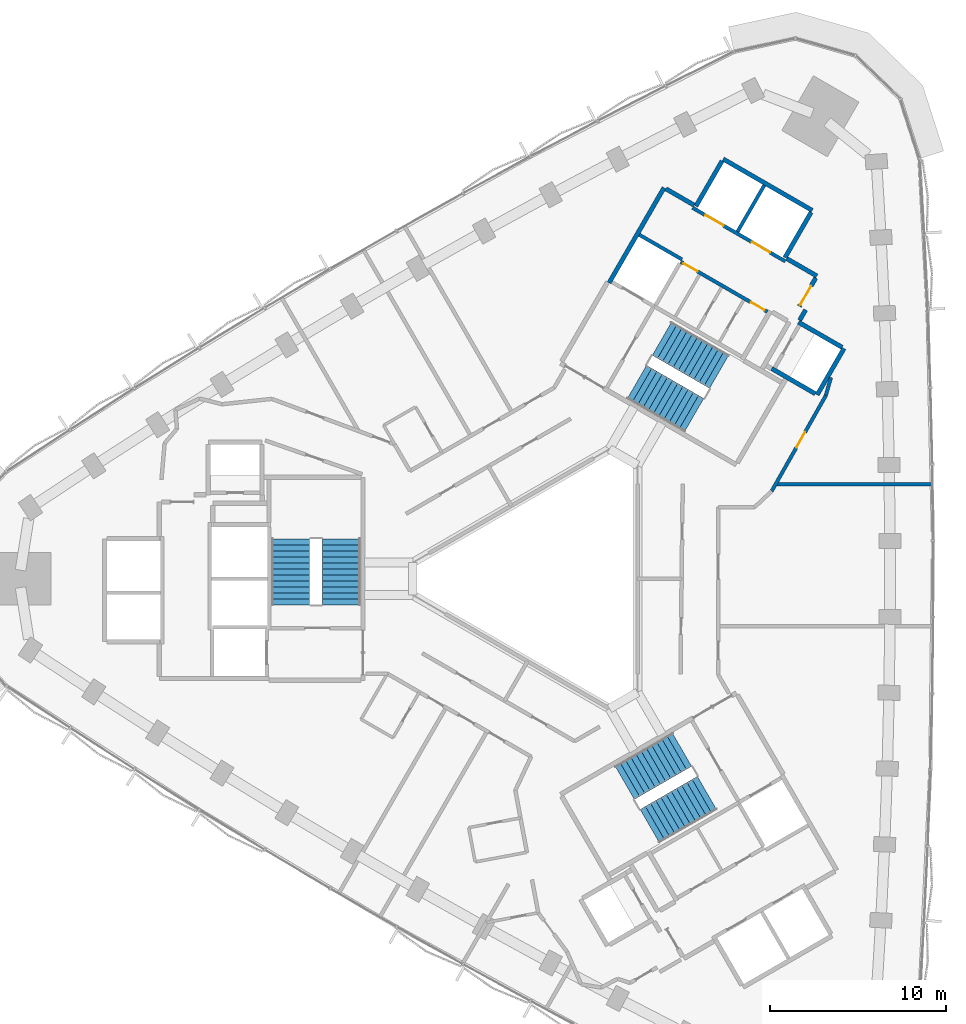
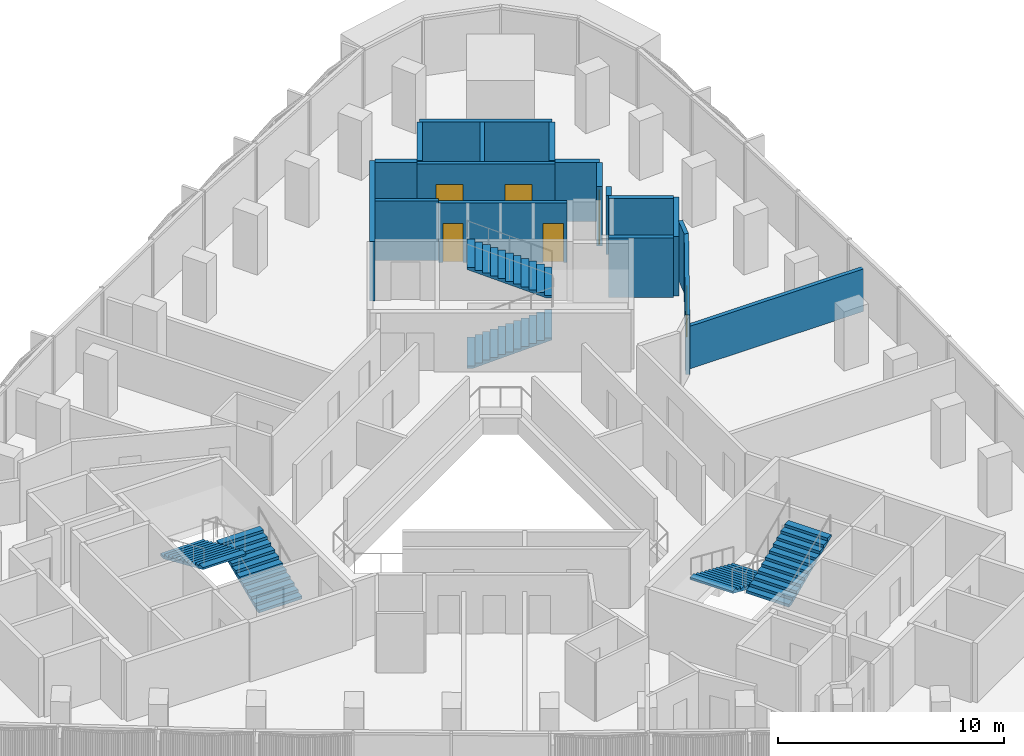
# One storey, part 11 of 14: 18 walls, 6 doors, 6 stair flights, 6 openings, 3 elements without a shape of their own.
"""IFC4 building model written with IfcOpenShell, lengths in metres."""

from ifc_helpers import new_model, si_unit, direction, frame, frame_2d, origin, place, context, subcontext, project, spatial, polyline, rectangle, outline, extrude, material, layer, layer_set, type_object, element, fill, aggregate, save


model = new_model("IFC4")

# Units and contexts
model_context = context("Model", 3, precision=1e-05, world=origin(), true_north=direction((0.0, 1.0)))
body_context = subcontext(model_context, "Body", "Model", "MODEL_VIEW")
ifc_project = project(units=[si_unit("LENGTHUNIT", "METRE"), si_unit("AREAUNIT", "SQUARE_METRE"), si_unit("VOLUMEUNIT", "CUBIC_METRE"), si_unit("PLANEANGLEUNIT", "RADIAN"), si_unit("MASSUNIT", "GRAM", prefix="KILO")], contexts=[model_context])

# Site, building, storey
site_placement = place(None, origin())
site = spatial("IfcSite", under=ifc_project, at=site_placement, CompositionType="ELEMENT")
building_placement = place(site_placement, origin())
building = spatial("IfcBuilding", under=site, at=building_placement, Name="Tamra Quay Hotel Tower", CompositionType="ELEMENT")
storey_placement = place(building_placement, frame((0.0, 0.0, 146.800048828125)))
storey = spatial("IfcBuildingStorey", under=building, at=storey_placement, Name="L36", CompositionType="ELEMENT", Elevation=146.800048828125)

# Wall, openings, doors
ifc_material_1 = material(Name="Concrete M70", Category="concrete")
ifc_layer_1 = layer(ifc_material_1, 0.199951171875)
ifc_layer_set_1 = layer_set([ifc_layer_1], Name="Concrete M70 core wall 200")
wall_type_1 = type_object("IfcWallType", Name="Concrete M70 core wall 200", PredefinedType="SHEAR", material=ifc_layer_set_1)
wall_1_placement = place(storey_placement, frame((13.209716796875, 18.07958984375, 0.0), z_axis=(0.0, 0.0, 1.0), x_axis=(-0.866030299012, 0.499991521122, 0.0)))
wall_1 = element("IfcWall", 1, at=wall_1_placement, inside=storey, type_object=wall_type_1, Name="CW2", PredefinedType="SHEAR", context=body_context, shape_type="SweptSolid", body=[
    extrude(rectangle(XDim=6.10009765625, YDim=0.199951171875, at=frame_2d((3.050048828125, 0.0))), origin(), (0.0, 0.0, 1.0), 3.199951171875),
])
opening_1_placement = place(wall_1_placement, frame((1.0, 0.0, 0.0)))
opening_1 = element("IfcOpeningElement", 2, at=opening_1_placement, cuts=wall_1, Name="Opening LD", PredefinedType="OPENING", context=body_context, shape_type="SweptSolid", body=[
    extrude(rectangle(XDim=1.199951171875, YDim=2.10009765625, at=frame_2d((0.60009765625, 1.050048828125))), frame((0.0, 0.10986328125, 0.0), z_axis=(0.0, -1.0, 0.0), x_axis=(1.0, 0.0, 0.0)), (0.0, 0.0, 1.0), 0.219970703125),
])
opening_2_placement = place(wall_1_placement, frame((4.05029296875, 0.0, 0.0)))
opening_2 = element("IfcOpeningElement", 3, at=opening_2_placement, cuts=wall_1, Name="Opening LD", PredefinedType="OPENING", context=body_context, shape_type="SweptSolid", body=[
    extrude(rectangle(XDim=1.199951171875, YDim=2.10009765625, at=frame_2d((0.60009765625, 1.050048828125))), frame((0.0, 0.10986328125, 0.0), z_axis=(0.0, -1.0, 0.0), x_axis=(1.0, 0.0, 0.0)), (0.0, 0.0, 1.0), 0.219970703125),
])
ifc_material_2 = material(Name="Landing door LD 1200 double door sliding")
door_type_1 = type_object("IfcDoorType", Name="Landing door LD 1200 double door sliding", OperationType="DOUBLE_DOOR_SLIDING", PredefinedType="DOOR", material=ifc_material_2)
door_1_placement = place(opening_1_placement, origin())
door_1 = element("IfcDoor", 4, at=door_1_placement, inside=storey, type_object=door_type_1, Name="LD", OperationType="DOUBLE_DOOR_SLIDING", OverallHeight=2.10009765625, OverallWidth=1.199951171875, PredefinedType="DOOR", context=body_context, shape_type="SweptSolid", body=[
    extrude(rectangle(XDim=1.199951171875, YDim=2.10009765625, at=frame_2d((0.60009765625, 1.050048828125))), frame((0.0, 0.02490234375, 0.0), z_axis=(0.0, -1.0, 0.0), x_axis=(1.0, 0.0, 0.0)), (0.0, 0.0, 1.0), 0.050048828125),
])
fill(opening_1, door_1)
door_2_placement = place(opening_2_placement, origin())
door_2 = element("IfcDoor", 5, at=door_2_placement, inside=storey, type_object=door_type_1, Name="LD", OperationType="DOUBLE_DOOR_SLIDING", OverallHeight=2.10009765625, OverallWidth=1.199951171875, PredefinedType="DOOR", context=body_context, shape_type="SweptSolid", body=[
    extrude(rectangle(XDim=1.199951171875, YDim=2.10009765625, at=frame_2d((0.60009765625, 1.050048828125))), frame((0.0, 0.02490234375, 0.0), z_axis=(0.0, -1.0, 0.0), x_axis=(1.0, 0.0, 0.0)), (0.0, 0.0, 1.0), 0.050048828125),
])
fill(opening_2, door_2)

wall_2_placement = place(storey_placement, frame((12.18505859375, 15.20703125, 0.0), z_axis=(0.0, 0.0, 1.0), x_axis=(-0.866020080793, 0.500009219579, 0.0)))
wall_2 = element("IfcWall", 6, at=wall_2_placement, inside=storey, type_object=wall_type_1, Name="CW2", PredefinedType="SHEAR", context=body_context, shape_type="SweptSolid", body=[
    extrude(rectangle(XDim=5.69921875, YDim=0.199951171875, at=frame_2d((2.849609375, 0.0))), origin(), (0.0, 0.0, 1.0), 3.199951171875),
])
opening_3_placement = place(wall_2_placement, frame((0.174072265625, 0.0, 0.0)))
opening_3 = element("IfcOpeningElement", 7, at=opening_3_placement, cuts=wall_2, Name="Opening D2", PredefinedType="OPENING", context=body_context, shape_type="SweptSolid", body=[
    extrude(rectangle(XDim=0.89990234375, YDim=2.10009765625, at=frame_2d((0.449951171875, 1.050048828125))), frame((0.0, 0.10986328125, 0.0), z_axis=(0.0, -1.0, 0.0), x_axis=(1.0, 0.0, 0.0)), (0.0, 0.0, 1.0), 0.219970703125),
])
opening_4_placement = place(wall_2_placement, frame((4.59912109375, 0.0, 0.0)))
opening_4 = element("IfcOpeningElement", 8, at=opening_4_placement, cuts=wall_2, Name="Opening D2", PredefinedType="OPENING", context=body_context, shape_type="SweptSolid", body=[
    extrude(rectangle(XDim=0.89990234375, YDim=2.10009765625, at=frame_2d((0.449951171875, 1.050048828125))), frame((0.0, 0.10986328125, 0.0), z_axis=(0.0, -1.0, 0.0), x_axis=(1.0, 0.0, 0.0)), (0.0, 0.0, 1.0), 0.219970703125),
])
ifc_material_3 = material(Name="Core door D2 900x2100 LH")
door_type_2 = type_object("IfcDoorType", Name="Core door D2 900x2100 LH", OperationType="NOTDEFINED", PredefinedType="DOOR", material=ifc_material_3)
door_3_placement = place(opening_3_placement, origin())
door_3 = element("IfcDoor", 9, at=door_3_placement, inside=storey, type_object=door_type_2, Name="D2", OperationType="SINGLE_SWING_LEFT", OverallHeight=2.10009765625, OverallWidth=0.89990234375, PredefinedType="DOOR", context=body_context, shape_type="SweptSolid", body=[
    extrude(rectangle(XDim=0.89990234375, YDim=2.10009765625, at=frame_2d((0.449951171875, 1.050048828125))), frame((0.0, 0.02490234375, 0.0), z_axis=(0.0, -1.0, 0.0), x_axis=(1.0, 0.0, 0.0)), (0.0, 0.0, 1.0), 0.050048828125),
])
fill(opening_3, door_3)
ifc_material_4 = material(Name="Core door D2 900x2100 RH")
door_type_3 = type_object("IfcDoorType", Name="Core door D2 900x2100 RH", OperationType="NOTDEFINED", PredefinedType="DOOR", material=ifc_material_4)
door_4_placement = place(opening_4_placement, origin())
door_4 = element("IfcDoor", 10, at=door_4_placement, inside=storey, type_object=door_type_3, Name="D2", OperationType="SINGLE_SWING_RIGHT", OverallHeight=2.10009765625, OverallWidth=0.89990234375, PredefinedType="DOOR", context=body_context, shape_type="SweptSolid", body=[
    extrude(rectangle(XDim=0.89990234375, YDim=2.10009765625, at=frame_2d((0.449951171875, 1.050048828125))), frame((0.0, 0.02490234375, 0.0), z_axis=(0.0, -1.0, 0.0), x_axis=(1.0, 0.0, 0.0)), (0.0, 0.0, 1.0), 0.050048828125),
])
fill(opening_4, door_4)

# Walls
wall_3_placement = place(storey_placement, frame((10.48876953125, 19.76708984375, 0.0), z_axis=(0.0, 0.0, 1.0), x_axis=(0.499946628782, 0.866056215479, 0.0)))
element("IfcWall", 11, at=wall_3_placement, inside=storey, type_object=wall_type_1, Name="CW2", PredefinedType="SHEAR", context=body_context, shape_type="SweptSolid", body=[
    extrude(rectangle(XDim=3.048095703125, YDim=0.199951171875, at=frame_2d((1.52392578125, 0.0))), origin(), (0.0, 0.0, 1.0), 3.199951171875),
])
wall_4_placement = place(storey_placement, frame((4.900634765625, 19.5859375, 0.0), z_axis=(0.0, 0.0, 1.0), x_axis=(0.866022890907, -0.500004352405, 0.0)))
element("IfcWall", 12, at=wall_4_placement, inside=storey, type_object=wall_type_1, Name="CW2", PredefinedType="SHEAR", context=body_context, shape_type="SweptSolid", body=[
    extrude(rectangle(XDim=2.798828125, YDim=0.199951171875, at=frame_2d((1.3994140625, 0.0))), origin(), (0.0, 0.0, 1.0), 3.199951171875),
])
ifc_layer_2 = layer(ifc_material_1, 0.25)
ifc_layer_set_2 = layer_set([ifc_layer_2], Name="Concrete M70 core wall 250")
wall_type_2 = type_object("IfcWallType", Name="Concrete M70 core wall 250", PredefinedType="SHEAR", material=ifc_layer_set_2)
wall_5_placement = place(storey_placement, frame((3.178955078125, 16.856201171875, 0.0), z_axis=(0.0, 0.0, 1.0), x_axis=(0.500004234368, 0.866022959057, 0.0)))
element("IfcWall", 13, at=wall_5_placement, inside=storey, type_object=wall_type_2, Name="CW1", PredefinedType="SHEAR", context=body_context, shape_type="SweptSolid", body=[
    extrude(rectangle(XDim=6.25, YDim=0.25, at=frame_2d((3.125, 0.0))), origin(), (0.0, 0.0, 1.0), 3.199951171875),
])
wall_6_placement = place(storey_placement, frame((9.672607421875, 23.9033203125, 0.0), z_axis=(0.0, 0.0, 1.0), x_axis=(0.86603616409, -0.499981362141, 0.0)))
element("IfcWall", 14, at=wall_6_placement, inside=storey, type_object=wall_type_2, Name="CW1", PredefinedType="SHEAR", context=body_context, shape_type="SweptSolid", body=[
    extrude(rectangle(XDim=5.849853515625, YDim=0.25, at=frame_2d((2.9248046875, 0.0))), origin(), (0.0, 0.0, 1.0), 3.199951171875),
])
for number, where, z_axis, x_axis, name in (
    (15, (8.12255859375, 21.21875, 0.0), (0.0, 0.0, 1.0), (0.499987686533, 0.866032512851, 0.0), "CW1"),
    (16, (14.67626953125, 20.869873046875, 0.0), (0.0, 0.0, 1.0), (-0.499987686533, -0.866032512851, 0.0), "CW1"),
):
    element("IfcWall", number, at=place(storey_placement, frame(where, z_axis=z_axis, x_axis=x_axis)), inside=storey, type_object=wall_type_2, Name=name, PredefinedType="SHEAR", context=body_context, shape_type="SweptSolid", body=[
        extrude(rectangle(XDim=2.974609375, YDim=0.25, at=frame_2d((1.4873046875, 0.0))), origin(), (0.0, 0.0, 1.0), 3.199951171875),
    ])
wall_7_placement = place(storey_placement, frame((16.552001953125, 13.118896484375, 0.0), z_axis=(0.0, 0.0, 1.0), x_axis=(-0.499978833458, -0.866037623948, 0.0)))
element("IfcWall", 17, at=wall_7_placement, inside=storey, type_object=wall_type_2, Name="CW1", PredefinedType="SHEAR", context=body_context, shape_type="SweptSolid", body=[
    extrude(rectangle(XDim=3.050048828125, YDim=0.25, at=frame_2d((1.52490234375, 0.0))), origin(), (0.0, 0.0, 1.0), 3.199951171875),
])
wall_8_placement = place(storey_placement, frame((14.91845703125, 10.540283203125, 0.0), z_axis=(0.0, 0.0, 1.0), x_axis=(-0.866063538972, 0.499933942099, 0.0)))
element("IfcWall", 18, at=wall_8_placement, inside=storey, type_object=wall_type_2, Name="CW1", PredefinedType="SHEAR", context=body_context, shape_type="SweptSolid", body=[
    extrude(rectangle(XDim=2.86474609375, YDim=0.25, at=frame_2d((1.432373046875, 0.0))), origin(), (0.0, 0.0, 1.0), 3.199951171875),
])
wall_9_placement = place(storey_placement, frame((13.962646484375, 14.61376953125, 0.0), z_axis=(0.0, 0.0, 1.0), x_axis=(0.866042235819, -0.499970844928, 0.0)))
element("IfcWall", 19, at=wall_9_placement, inside=storey, type_object=wall_type_2, Name="CW1", PredefinedType="SHEAR", context=body_context, shape_type="SweptSolid", body=[
    extrude(rectangle(XDim=2.864501953125, YDim=0.25, at=frame_2d((1.43212890625, 0.0))), origin(), (0.0, 0.0, 1.0), 3.199951171875),
])
wall_10_placement = place(storey_placement, frame((13.29736328125, 18.23095703125, 0.0), z_axis=(0.0, 0.0, 1.0), x_axis=(0.866043531843, -0.499968599967, 0.0)))
element("IfcWall", 20, at=wall_10_placement, inside=storey, type_object=wall_type_2, Name="CW1", PredefinedType="SHEAR", context=body_context, shape_type="SweptSolid", body=[
    extrude(rectangle(XDim=1.974853515625, YDim=0.25, at=frame_2d((0.9873046875, 0.0))), origin(), (0.0, 0.0, 1.0), 3.199951171875),
])
wall_11_placement = place(storey_placement, frame((6.41259765625, 22.2060546875, 0.0), z_axis=(0.0, 0.0, 1.0), x_axis=(0.866016279763, -0.500015802937, 0.0)))
element("IfcWall", 21, at=wall_11_placement, inside=storey, type_object=wall_type_2, Name="CW1", PredefinedType="SHEAR", context=body_context, shape_type="SweptSolid", body=[
    extrude(rectangle(XDim=1.84912109375, YDim=0.25, at=frame_2d((0.924560546875, 0.0))), origin(), (0.0, 0.0, 1.0), 3.199951171875),
])

# Wall, opening, door
wall_12_placement = place(storey_placement, frame((14.94482421875, 17.13525390625, 0.0), z_axis=(0.0, 0.0, 1.0), x_axis=(-0.499983108224, -0.866035156036, 0.0)))
wall_12 = element("IfcWall", 22, at=wall_12_placement, inside=storey, type_object=wall_type_2, Name="CW1", PredefinedType="SHEAR", context=body_context, shape_type="SweptSolid", body=[
    extrude(rectangle(XDim=1.86474609375, YDim=0.25, at=frame_2d((0.932373046875, 0.0))), origin(), (0.0, 0.0, 1.0), 3.199951171875),
])
opening_5_placement = place(wall_12_placement, frame((0.53466796875, 0.0, 0.0)))
opening_5 = element("IfcOpeningElement", 23, at=opening_5_placement, cuts=wall_12, Name="Opening FD3", PredefinedType="OPENING", context=body_context, shape_type="SweptSolid", body=[
    extrude(rectangle(XDim=1.25, YDim=2.10009765625, at=frame_2d((0.625, 1.050048828125))), frame((0.0, 0.135009765625, 0.0), z_axis=(0.0, -1.0, 0.0), x_axis=(1.0, 0.0, 0.0)), (0.0, 0.0, 1.0), 0.27001953125),
])
ifc_material_5 = material(Name="Core door FD3 1250x2100 LH")
door_type_4 = type_object("IfcDoorType", Name="Core door FD3 1250x2100 LH", OperationType="NOTDEFINED", PredefinedType="DOOR", material=ifc_material_5)
door_5_placement = place(opening_5_placement, origin())
door_5 = element("IfcDoor", 24, at=door_5_placement, inside=storey, type_object=door_type_4, Name="FD3", OperationType="SINGLE_SWING_LEFT", OverallHeight=2.10009765625, OverallWidth=1.25, PredefinedType="DOOR", context=body_context, shape_type="SweptSolid", body=[
    extrude(rectangle(XDim=1.25, YDim=2.10009765625, at=frame_2d((0.625, 1.050048828125))), frame((0.0, 0.02490234375, 0.0), z_axis=(0.0, -1.0, 0.0), x_axis=(1.0, 0.0, 0.0)), (0.0, 0.0, 1.0), 0.050048828125),
])
fill(opening_5, door_5)

# Wall
wall_13_placement = place(storey_placement, frame((14.36767578125, 15.3154296875, 0.0), z_axis=(0.0, 0.0, 1.0), x_axis=(-0.499897359611, -0.866084655132, 0.0)))
element("IfcWall", 25, at=wall_13_placement, inside=storey, type_object=wall_type_2, Name="CW1", PredefinedType="SHEAR", context=body_context, shape_type="SweptSolid", body=[
    extrude(rectangle(XDim=0.684814453125, YDim=0.25, at=frame_2d((0.34228515625, 0.0))), origin(), (0.0, 0.0, 1.0), 3.199951171875),
])

# Wall, opening, door
ifc_material_6 = material(Name="Partition corridor wall")
ifc_layer_3 = layer(ifc_material_6, 0.199951171875)
ifc_layer_set_3 = layer_set([ifc_layer_3], Name="Partition corridor wall")
wall_type_3 = type_object("IfcWallType", Name="Partition corridor wall", PredefinedType="PARTITIONING", material=ifc_layer_set_3)
wall_14_placement = place(storey_placement, frame((12.43310546875, 4.991943359375, 0.0), z_axis=(0.0, 0.0, 1.0), x_axis=(0.492740203499, 0.870176471675, 0.0)))
wall_14 = element("IfcWall", 26, at=wall_14_placement, inside=storey, type_object=wall_type_3, Name="W-C", PredefinedType="PARTITIONING", context=body_context, shape_type="SweptSolid", body=[
    extrude(rectangle(XDim=6.265380859375, YDim=0.199951171875, at=frame_2d((3.1328125, 0.0))), origin(), (0.0, 0.0, 1.0), 3.199951171875),
])
opening_6_placement = place(wall_14_placement, frame((2.85791015625, 0.0, 0.0)))
opening_6 = element("IfcOpeningElement", 27, at=opening_6_placement, cuts=wall_14, Name="Opening L36-D003", PredefinedType="OPENING", context=body_context, shape_type="SweptSolid", body=[
    extrude(rectangle(XDim=1.0, YDim=2.10009765625, at=frame_2d((0.5, 1.050048828125))), frame((0.0, 0.10986328125, 0.0), z_axis=(0.0, -1.0, 0.0), x_axis=(1.0, 0.0, 0.0)), (0.0, 0.0, 1.0), 0.219970703125),
])
ifc_material_7 = material(Name="Door guest room 1000x2100")
door_type_5 = type_object("IfcDoorType", Name="Door guest room 1000x2100", OperationType="NOTDEFINED", PredefinedType="DOOR", material=ifc_material_7)
door_6_placement = place(opening_6_placement, frame((1.0, 0.0, 0.0), z_axis=(0.0, 0.0, 1.0), x_axis=(-1.0, 0.0, 0.0)))
door_6 = element("IfcDoor", 28, at=door_6_placement, inside=storey, type_object=door_type_5, Name="L36-D003", OperationType="SINGLE_SWING_LEFT", OverallHeight=2.10009765625, OverallWidth=1.0, PredefinedType="DOOR", context=body_context, shape_type="SweptSolid", body=[
    extrude(rectangle(XDim=1.0, YDim=2.10009765625, at=frame_2d((0.5, 1.050048828125))), frame((0.0, 0.02490234375, 0.0), z_axis=(0.0, -1.0, 0.0), x_axis=(1.0, 0.0, 0.0)), (0.0, 0.0, 1.0), 0.050048828125),
])
fill(opening_6, door_6)

# Walls
wall_15_placement = place(storey_placement, frame((15.52001953125, 10.445068359375, 0.0), z_axis=(0.0, 0.0, 1.0), x_axis=(0.274143458758, 0.961688808306, 0.0)))
element("IfcWall", 29, at=wall_15_placement, inside=storey, type_object=wall_type_3, Name="W-C", PredefinedType="PARTITIONING", context=body_context, shape_type="SweptSolid", body=[
    extrude(rectangle(XDim=1.060546875, YDim=0.199951171875, at=frame_2d((0.5302734375, 0.0))), origin(), (0.0, 0.0, 1.0), 3.199951171875),
])
ifc_material_8 = material(Name="Partition party wall")
ifc_layer_4 = layer(ifc_material_8, 0.199951171875)
ifc_layer_set_4 = layer_set([ifc_layer_4], Name="Partition party wall")
wall_type_4 = type_object("IfcWallType", Name="Partition party wall", PredefinedType="PARTITIONING", material=ifc_layer_set_4)
wall_16_placement = place(storey_placement, frame((12.662109375, 5.39501953125, 0.0), z_axis=(0.0, 0.0, 1.0), x_axis=(1.0, 0.0, 0.0)))
element("IfcWall", 30, at=wall_16_placement, inside=storey, type_object=wall_type_4, Name="W-P", PredefinedType="PARTITIONING", context=body_context, shape_type="SweptSolid", body=[
    extrude(rectangle(XDim=8.926025390625, YDim=0.199951171875, at=frame_2d((4.462890625, 0.0))), origin(), (0.0, 0.0, 1.0), 2.300048828125),
])

# Stair, stair flights
ifc_material_9 = material(Name="Exit stair 2200 24 risers 150.0 going 342")
stair_type = type_object("IfcStairType", Name="Exit stair 2200 24 risers 150.0 going 342", PredefinedType="HALF_TURN_STAIR", material=ifc_material_9)
stair_1_placement = place(storey_placement, origin())
stair_1 = element("IfcStair", 31, at=stair_1_placement, inside=storey, type_object=stair_type, Name="L36 Exit stair ST3", PredefinedType="HALF_TURN_STAIR")
ifc_material_10 = material(Name="Exit stair flight 2200 12 risers 150.0")
stair_flight_type = type_object("IfcStairFlightType", Name="Exit stair flight 2200 12 risers 150.0", PredefinedType="STRAIGHT", material=ifc_material_10)
stair_flight_1_placement = place(storey_placement, frame((-12.082275390625, -1.47998046875, 0.0), z_axis=(0.0, 0.0, 1.0), x_axis=(0.0, 1.0, 0.0)))
stair_flight_1 = element("IfcStairFlight", 32, at=stair_flight_1_placement, type_object=stair_flight_type, Name="ST3 flight 1", NumberOfRisers=12, NumberOfTreads=11, PredefinedType="STRAIGHT", RiserHeight=0.15, TreadLength=0.342, context=body_context, shape_type="SweptSolid", body=[
    extrude(outline(polyline([(0.0, 0.0), (0.0, 0.14990234375), (0.342041015625, 0.14990234375), (0.342041015625, 0.300048828125), (0.68408203125, 0.300048828125), (0.68408203125, 0.449951171875), (1.02587890625, 0.449951171875), (1.02587890625, 0.60009765625), (1.367919921875, 0.60009765625), (1.367919921875, 0.75), (1.7099609375, 0.75), (1.7099609375, 0.89990234375), (2.052001953125, 0.89990234375), (2.052001953125, 1.050048828125), (2.39404296875, 1.050048828125), (2.39404296875, 1.199951171875), (2.736083984375, 1.199951171875), (2.736083984375, 1.35009765625), (3.077880859375, 1.35009765625), (3.077880859375, 1.5), (3.419921875, 1.5), (3.419921875, 1.64990234375), (3.761962890625, 1.64990234375), (3.761962890625, 1.800048828125), (3.761962890625, 1.540771484375), (0.249267578125, 0.0), (0.0, 0.0)])), frame((0.0, 1.10009765625, 0.0), z_axis=(0.0, -1.0, 0.0), x_axis=(1.0, 0.0, 0.0)), (0.0, 0.0, 1.0), 2.199951171875),
])
stair_flight_2_placement = place(storey_placement, frame((-14.94140625, 2.281982421875, 1.800048828125), z_axis=(0.0, 0.0, 1.0), x_axis=(0.0, -1.0, 0.0)))
stair_flight_2 = element("IfcStairFlight", 33, at=stair_flight_2_placement, type_object=stair_flight_type, Name="ST3 flight 2", NumberOfRisers=12, NumberOfTreads=11, PredefinedType="STRAIGHT", RiserHeight=0.15, TreadLength=0.342, context=body_context, shape_type="SweptSolid", body=[
    extrude(outline(polyline([(0.0, 0.0), (0.0, 0.14990234375), (0.342041015625, 0.14990234375), (0.342041015625, 0.300048828125), (0.68408203125, 0.300048828125), (0.68408203125, 0.449951171875), (1.02587890625, 0.449951171875), (1.02587890625, 0.60009765625), (1.367919921875, 0.60009765625), (1.367919921875, 0.75), (1.7099609375, 0.75), (1.7099609375, 0.89990234375), (2.052001953125, 0.89990234375), (2.052001953125, 1.050048828125), (2.39404296875, 1.050048828125), (2.39404296875, 1.199951171875), (2.736083984375, 1.199951171875), (2.736083984375, 1.35009765625), (3.077880859375, 1.35009765625), (3.077880859375, 1.5), (3.419921875, 1.5), (3.419921875, 1.64990234375), (3.761962890625, 1.64990234375), (3.761962890625, 1.800048828125), (3.761962890625, 1.540771484375), (0.249267578125, 0.0), (0.0, 0.0)])), frame((0.0, 1.10009765625, 0.0), z_axis=(0.0, -1.0, 0.0), x_axis=(1.0, 0.0, 0.0)), (0.0, 0.0, 1.0), 2.199951171875),
])
aggregate(stair_1, [stair_flight_1, stair_flight_2])

stair_2_placement = place(storey_placement, origin())
stair_2 = element("IfcStair", 34, at=stair_2_placement, inside=storey, type_object=stair_type, Name="L36 Exit stair ST1", PredefinedType="HALF_TURN_STAIR")
stair_flight_3_placement = place(storey_placement, frame((4.75927734375, 11.20361328125, 0.0), z_axis=(0.0, 0.0, 1.0), x_axis=(0.866025403784, -0.5, 0.0)))
stair_flight_3 = element("IfcStairFlight", 35, at=stair_flight_3_placement, type_object=stair_flight_type, Name="ST1 flight 1", NumberOfRisers=12, NumberOfTreads=11, PredefinedType="STRAIGHT", RiserHeight=0.15, TreadLength=0.342, context=body_context, shape_type="SweptSolid", body=[
    extrude(outline(polyline([(0.0, 0.0), (0.0, 0.14990234375), (0.342041015625, 0.14990234375), (0.342041015625, 0.300048828125), (0.68408203125, 0.300048828125), (0.68408203125, 0.449951171875), (1.02587890625, 0.449951171875), (1.02587890625, 0.60009765625), (1.367919921875, 0.60009765625), (1.367919921875, 0.75), (1.7099609375, 0.75), (1.7099609375, 0.89990234375), (2.052001953125, 0.89990234375), (2.052001953125, 1.050048828125), (2.39404296875, 1.050048828125), (2.39404296875, 1.199951171875), (2.736083984375, 1.199951171875), (2.736083984375, 1.35009765625), (3.077880859375, 1.35009765625), (3.077880859375, 1.5), (3.419921875, 1.5), (3.419921875, 1.64990234375), (3.761962890625, 1.64990234375), (3.761962890625, 1.800048828125), (3.761962890625, 1.540771484375), (0.249267578125, 0.0), (0.0, 0.0)])), frame((0.0, 1.10009765625, 0.0), z_axis=(0.0, -1.0, 0.0), x_axis=(1.0, 0.0, 0.0)), (0.0, 0.0, 1.0), 2.199951171875),
])
stair_flight_4_placement = place(storey_placement, frame((9.44677734375, 11.798583984375, 1.800048828125), z_axis=(0.0, 0.0, 1.0), x_axis=(-0.866025403784, 0.5, 0.0)))
stair_flight_4 = element("IfcStairFlight", 36, at=stair_flight_4_placement, type_object=stair_flight_type, Name="ST1 flight 2", NumberOfRisers=12, NumberOfTreads=11, PredefinedType="STRAIGHT", RiserHeight=0.15, TreadLength=0.342, context=body_context, shape_type="SweptSolid", body=[
    extrude(outline(polyline([(0.0, 0.0), (0.0, 0.14990234375), (0.342041015625, 0.14990234375), (0.342041015625, 0.300048828125), (0.68408203125, 0.300048828125), (0.68408203125, 0.449951171875), (1.02587890625, 0.449951171875), (1.02587890625, 0.60009765625), (1.367919921875, 0.60009765625), (1.367919921875, 0.75), (1.7099609375, 0.75), (1.7099609375, 0.89990234375), (2.052001953125, 0.89990234375), (2.052001953125, 1.050048828125), (2.39404296875, 1.050048828125), (2.39404296875, 1.199951171875), (2.736083984375, 1.199951171875), (2.736083984375, 1.35009765625), (3.077880859375, 1.35009765625), (3.077880859375, 1.5), (3.419921875, 1.5), (3.419921875, 1.64990234375), (3.761962890625, 1.64990234375), (3.761962890625, 1.800048828125), (3.761962890625, 1.540771484375), (0.249267578125, 0.0), (0.0, 0.0)])), frame((0.0, 1.10009765625, 0.0), z_axis=(0.0, -1.0, 0.0), x_axis=(1.0, 0.0, 0.0)), (0.0, 0.0, 1.0), 2.199951171875),
])
aggregate(stair_2, [stair_flight_3, stair_flight_4])

stair_3_placement = place(storey_placement, origin())
stair_3 = element("IfcStair", 37, at=stair_3_placement, inside=storey, type_object=stair_type, Name="L36 Exit stair ST2", PredefinedType="HALF_TURN_STAIR")
stair_flight_5_placement = place(storey_placement, frame((7.322998046875, -9.7236328125, 0.0), z_axis=(0.0, 0.0, 1.0), x_axis=(-0.866025403784, -0.5, 0.0)))
stair_flight_5 = element("IfcStairFlight", 38, at=stair_flight_5_placement, type_object=stair_flight_type, Name="ST2 flight 1", NumberOfRisers=12, NumberOfTreads=11, PredefinedType="STRAIGHT", RiserHeight=0.15, TreadLength=0.342, context=body_context, shape_type="SweptSolid", body=[
    extrude(outline(polyline([(0.0, 0.0), (0.0, 0.14990234375), (0.342041015625, 0.14990234375), (0.342041015625, 0.300048828125), (0.68408203125, 0.300048828125), (0.68408203125, 0.449951171875), (1.02587890625, 0.449951171875), (1.02587890625, 0.60009765625), (1.367919921875, 0.60009765625), (1.367919921875, 0.75), (1.7099609375, 0.75), (1.7099609375, 0.89990234375), (2.052001953125, 0.89990234375), (2.052001953125, 1.050048828125), (2.39404296875, 1.050048828125), (2.39404296875, 1.199951171875), (2.736083984375, 1.199951171875), (2.736083984375, 1.35009765625), (3.077880859375, 1.35009765625), (3.077880859375, 1.5), (3.419921875, 1.5), (3.419921875, 1.64990234375), (3.761962890625, 1.64990234375), (3.761962890625, 1.800048828125), (3.761962890625, 1.540771484375), (0.249267578125, 0.0), (0.0, 0.0)])), frame((0.0, 1.10009765625, 0.0), z_axis=(0.0, -1.0, 0.0), x_axis=(1.0, 0.0, 0.0)), (0.0, 0.0, 1.0), 2.199951171875),
])
stair_flight_6_placement = place(storey_placement, frame((5.494384765625, -14.08056640625, 1.800048828125), z_axis=(0.0, 0.0, 1.0), x_axis=(0.866025403784, 0.5, 0.0)))
stair_flight_6 = element("IfcStairFlight", 39, at=stair_flight_6_placement, type_object=stair_flight_type, Name="ST2 flight 2", NumberOfRisers=12, NumberOfTreads=11, PredefinedType="STRAIGHT", RiserHeight=0.15, TreadLength=0.342, context=body_context, shape_type="SweptSolid", body=[
    extrude(outline(polyline([(0.0, 0.0), (0.0, 0.14990234375), (0.342041015625, 0.14990234375), (0.342041015625, 0.300048828125), (0.68408203125, 0.300048828125), (0.68408203125, 0.449951171875), (1.02587890625, 0.449951171875), (1.02587890625, 0.60009765625), (1.367919921875, 0.60009765625), (1.367919921875, 0.75), (1.7099609375, 0.75), (1.7099609375, 0.89990234375), (2.052001953125, 0.89990234375), (2.052001953125, 1.050048828125), (2.39404296875, 1.050048828125), (2.39404296875, 1.199951171875), (2.736083984375, 1.199951171875), (2.736083984375, 1.35009765625), (3.077880859375, 1.35009765625), (3.077880859375, 1.5), (3.419921875, 1.5), (3.419921875, 1.64990234375), (3.761962890625, 1.64990234375), (3.761962890625, 1.800048828125), (3.761962890625, 1.540771484375), (0.249267578125, 0.0), (0.0, 0.0)])), frame((0.0, 1.10009765625, 0.0), z_axis=(0.0, -1.0, 0.0), x_axis=(1.0, 0.0, 0.0)), (0.0, 0.0, 1.0), 2.199951171875),
])
aggregate(stair_3, [stair_flight_5, stair_flight_6])

save(model, "model.ifc")
